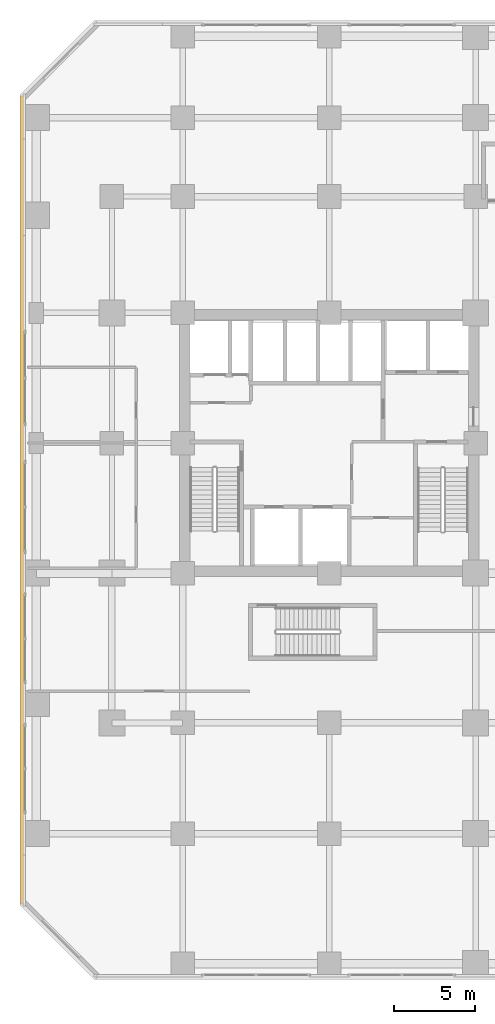
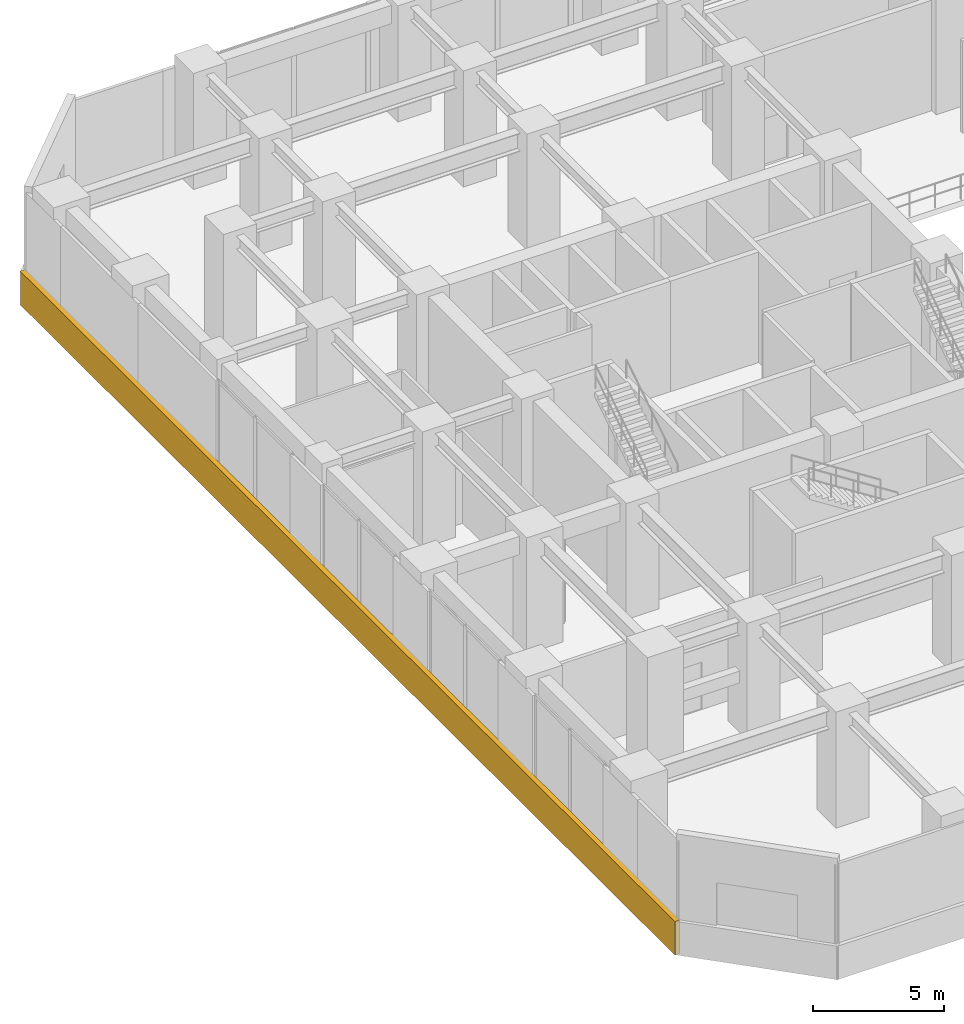
# One storey, part 29 of 33: 1 covering.
"""IFC4 building model written with IfcOpenShell, lengths in metres."""

from ifc_helpers import new_model, si_unit, direction, frame, origin, origin_2d, place, context, subcontext, project, spatial, rectangle, extrude, source, transform, mapped, material, layer, layer_set, type_object, element, save


model = new_model("IFC4")

# Units and contexts
model_context = context("Model", 3, precision=1e-05, world=origin(), true_north=direction((0.0, 1.0)))
body_context = subcontext(model_context, "Body", "Model", "MODEL_VIEW")
ifc_project = project(units=[si_unit("LENGTHUNIT", "METRE"), si_unit("AREAUNIT", "SQUARE_METRE"), si_unit("VOLUMEUNIT", "CUBIC_METRE"), si_unit("PLANEANGLEUNIT", "RADIAN"), si_unit("MASSUNIT", "GRAM", prefix="KILO")], contexts=[model_context])

# Site, building, storey
site_placement = place(None, origin())
site = spatial("IfcSite", under=ifc_project, at=site_placement, CompositionType="ELEMENT")
building_placement = place(site_placement, origin())
building = spatial("IfcBuilding", under=site, at=building_placement, Name="Torre Montelarca", CompositionType="ELEMENT")
storey_placement = place(building_placement, frame((0.0, 0.0, 12.0)))
storey = spatial("IfcBuildingStorey", under=building, at=storey_placement, Name="L03", CompositionType="ELEMENT", Elevation=12.0)

# Covering
ifc_material = material(Name="Bush-hammered warm white precast concrete C45/55", Category="concrete")
ifc_layer = layer(ifc_material, 0.139892578125, Name="Bush-hammered warm white precast concrete C45/55", Category="concrete")
ifc_layer_set = layer_set([ifc_layer], Name="Bush-hammered warm white precast concrete C45/55")
covering_type = type_object("IfcCoveringType", Name="COV-TRAY-CLAD", PredefinedType="CLADDING", material=ifc_layer_set)
shared_shape = source(origin(), body_context, "Body", "SweptSolid", [
    extrude(rectangle(XDim=49.919921875, YDim=0.219970703125, at=origin_2d()), origin(), (0.0, 0.0, 1.0), 1.56005859375),
])
covering_placement = place(storey_placement, frame((-0.8701171875, 28.5, -0.400146484375), z_axis=(0.0, 0.0, 1.0), x_axis=(0.0, -1.0, 0.0)))
element("IfcCovering", 1, at=covering_placement, inside=storey, type_object=covering_type, Name="L03 Architectural White Spandrel Tray Band PODBOT-10", PredefinedType="CLADDING", context=body_context, shape_type="MappedRepresentation", body=[
    mapped(shared_shape, transform((0.0, 0.0, 0.0), scale=1.0)),
])

save(model, "model.ifc")
